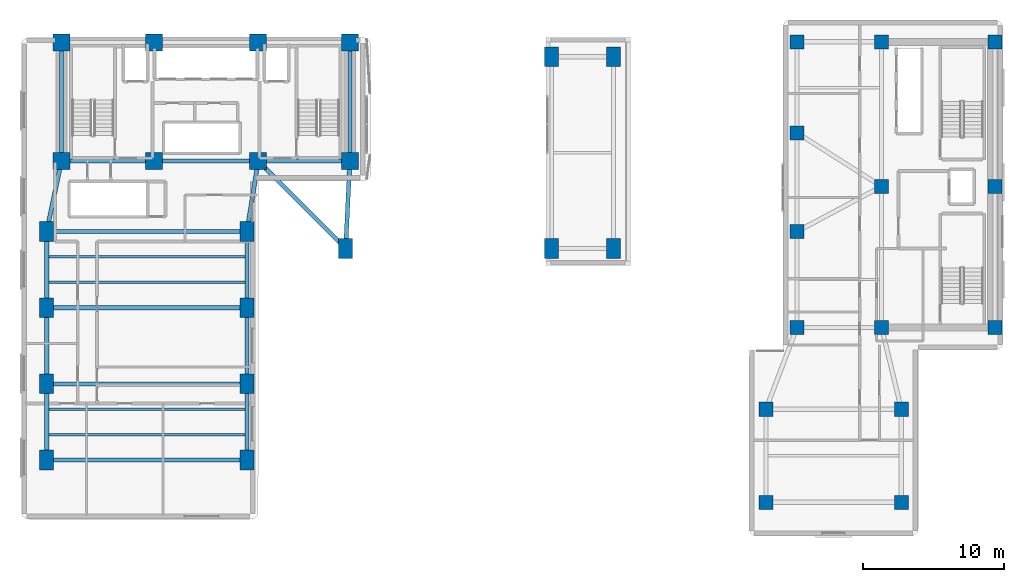
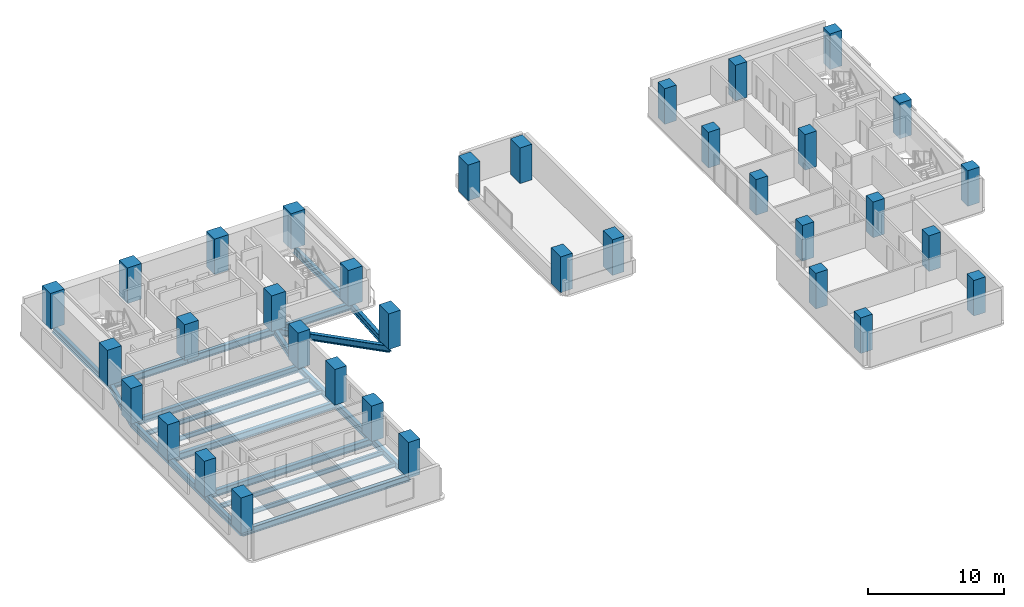
# One storey, part 1 of 14: 35 columns, 23 beams.
"""IFC4 building model written with IfcOpenShell, lengths in metres."""

import ifcopenshell
import ifcopenshell.guid

model = None  # the IFC model being written
_history = None  # IfcOwnerHistory: only IFC2X3 demands one
_inside = {}  # id of a spatial element -> (the spatial element, [elements in it])
_under = {}  # id of a project, library or spatial element -> (it, [spatial elements below it])
_declared = {}  # id of a project -> (the project, [libraries it declares])
_typed = {}  # id of a type object -> (the type object, [elements of that type])
_made_of = {}  # id of a material, layer set ... -> (it, [elements and type objects made of it])


def new_model(schema):
    """Start an empty IFC model of exactly this schema.

    Asked for "IFC4X3", IfcOpenShell would pick the latest addendum, in which some entities
    have other attributes; the version numbers below select the first issue.
    IFC2X3 requires an IfcOwnerHistory on every rooted entity: one is made here for all.
    """
    global model, _history
    if schema == "IFC4X3":
        model = ifcopenshell.file(schema_version=(4, 3, 0, 0))
    else:
        model = ifcopenshell.file(schema=schema)
    _inside.clear()
    _under.clear()
    _declared.clear()
    _typed.clear()
    _made_of.clear()
    _history = None
    if model.schema == "IFC2X3":
        org = make("IfcOrganization", Name="unknown")
        user = make(
            "IfcPersonAndOrganization",
            ThePerson=make("IfcPerson", FamilyName="unknown"),
            TheOrganization=org,
        )
        app = make(
            "IfcApplication",
            ApplicationDeveloper=org,
            Version="unknown",
            ApplicationFullName="unknown",
            ApplicationIdentifier="unknown",
        )
        _history = make(
            "IfcOwnerHistory",
            OwningUser=user,
            OwningApplication=app,
            ChangeAction="ADDED",
            CreationDate=0,
        )
    return model


def make(cls, **values):
    """One entity of the class cls with the attributes given. An attribute that is None is left unset."""
    return model.create_entity(
        cls, **{name: value for name, value in values.items() if value is not None}
    )


def rooted(cls, **values):
    """An entity with a GlobalId (a new one), such as an element, a storey or a relation."""
    return make(cls, GlobalId=ifcopenshell.guid.new(), OwnerHistory=_history, **values)


def si_unit(unit_type, name, prefix=None):
    """IfcSIUnit, for example si_unit("LENGTHUNIT", "METRE", prefix="MILLI")."""
    return make("IfcSIUnit", UnitType=unit_type, Prefix=prefix, Name=name)


def assignment(units):
    """IfcUnitAssignment: the units of a project."""
    return None if units is None else make("IfcUnitAssignment", Units=units)


def point(xyz):
    """IfcCartesianPoint."""
    return None if xyz is None else make("IfcCartesianPoint", Coordinates=xyz)


def direction(xyz):
    """IfcDirection."""
    return None if xyz is None else make("IfcDirection", DirectionRatios=xyz)


def frame(location, z_axis=None, x_axis=None):
    """IfcAxis2Placement3D, a coordinate frame: its origin and axes. An axis left out is left unset."""
    return make(
        "IfcAxis2Placement3D",
        Location=point(location),
        Axis=direction(z_axis),
        RefDirection=direction(x_axis),
    )


def frame_2d(location, x_axis=None):
    """IfcAxis2Placement2D, a coordinate frame in the plane: its origin and x axis."""
    return make(
        "IfcAxis2Placement2D", Location=point(location), RefDirection=direction(x_axis)
    )


def origin():
    """The frame at (0, 0, 0) with its axes left unset."""
    return frame((0.0, 0.0, 0.0))


def origin_2d():
    """The frame at (0, 0) in the plane with its x axis left unset."""
    return frame_2d((0.0, 0.0))


def place(relative_to, where):
    """IfcLocalPlacement: puts the frame where relative to a parent placement (None: the world)."""
    return make(
        "IfcLocalPlacement", PlacementRelTo=relative_to, RelativePlacement=where
    )


def context(
    kind, dimensions, precision=None, world=None, true_north=None, identifier=None
):
    """IfcGeometricRepresentationContext, for example the 3D "Model" context."""
    return make(
        "IfcGeometricRepresentationContext",
        ContextIdentifier=identifier,
        ContextType=kind,
        CoordinateSpaceDimension=dimensions,
        Precision=precision,
        WorldCoordinateSystem=world,
        TrueNorth=true_north,
    )


def subcontext(parent, identifier, kind, view, scale=None):
    """IfcGeometricRepresentationSubContext, for example "Body" below "Model"."""
    return make(
        "IfcGeometricRepresentationSubContext",
        ContextIdentifier=identifier,
        ContextType=kind,
        ParentContext=parent,
        TargetScale=scale,
        TargetView=view,
    )


def project(units=None, contexts=None):
    """IfcProject with its units and contexts."""
    return rooted(
        "IfcProject",
        Name="project",
        RepresentationContexts=contexts,
        UnitsInContext=assignment(units),
    )


def spatial(cls, under=None, at=None, **own):
    """A site, building, storey or space (cls), placed at a placement, below another one or the project."""
    s = rooted(cls, ObjectPlacement=at, **own)
    if under is not None:
        _under.setdefault(under.id(), (under, []))[1].append(s)
    return s


def profile(cls, at=None, kind="AREA", **sizes):
    """A parametric profile (cls). Its sizes go by their IFC names, for example OverallWidth=200.0."""
    return make(cls, ProfileType=kind, Position=at, **sizes)


def rectangle(**sizes):
    """IfcRectangleProfileDef."""
    return profile("IfcRectangleProfileDef", **sizes)


def i_section(**sizes):
    """IfcIShapeProfileDef."""
    return profile("IfcIShapeProfileDef", **sizes)


def extrude(swept, where, along, depth):
    """IfcExtrudedAreaSolid: the profile swept, set in the frame where, extruded along a direction by depth."""
    return make(
        "IfcExtrudedAreaSolid",
        SweptArea=swept,
        Position=where,
        ExtrudedDirection=direction(along),
        Depth=depth,
    )


def shape(context_of_items, identifier, shape_type, items):
    """IfcShapeRepresentation: the items that make up one representation, for example the "Body"."""
    return make(
        "IfcShapeRepresentation",
        ContextOfItems=context_of_items,
        RepresentationIdentifier=identifier,
        RepresentationType=shape_type,
        Items=items,
    )


def material(Name=None, Category=None):
    """IfcMaterial."""
    return make("IfcMaterial", Name=Name, Category=Category)


def material_profile(
    of_material, cross_section, Name=None, Category=None, Priority=None
):
    """IfcMaterialProfile: a cross section and its material."""
    return make(
        "IfcMaterialProfile",
        Name=Name,
        Material=of_material,
        Profile=cross_section,
        Priority=Priority,
        Category=Category,
    )


def profile_set(profiles, Name=None, composite=None):
    """IfcMaterialProfileSet."""
    return make(
        "IfcMaterialProfileSet",
        Name=Name,
        MaterialProfiles=profiles,
        CompositeProfile=composite,
    )


def made_of(thing, what):
    """Note that an element or type object is made of a material, layer set ...; save() writes the relation."""
    if what is not None:
        _made_of.setdefault(what.id(), (what, []))[1].append(thing)
    return thing


def type_object(cls, material=None, **own):
    """A type object (cls), such as IfcWallType, which elements share."""
    return made_of(rooted(cls, **own), material)


def element(
    cls,
    number,
    at=None,
    inside=None,
    cuts=None,
    type_object=None,
    material=None,
    context=None,
    identifier="Body",
    shape_type=None,
    held_by="IfcProductDefinitionShape",
    body=None,
    shapes=None,
    **own,
):
    """One element of the class cls, such as IfcWall. Its Tag is "e" and its number.

    at: its placement. inside: the storey or other place that contains it. cuts: it is an
    opening in that element (IfcRelVoidsElement). A single representation is given by context,
    identifier, shape_type and body (its items); several are given by shapes. held_by: the class
    of the entity that holds the representations. save() writes the other relations.
    """
    e = rooted(cls, Tag="e%d" % number, ObjectPlacement=at, **own)
    if body is not None:
        shapes = [shape(context, identifier, shape_type, body)]
    if shapes is not None:
        e.Representation = make(held_by, Representations=shapes)
    if inside is not None:
        _inside.setdefault(inside.id(), (inside, []))[1].append(e)
    if cuts is not None:
        rooted(
            "IfcRelVoidsElement", RelatingBuildingElement=cuts, RelatedOpeningElement=e
        )
    if type_object is not None:
        _typed.setdefault(type_object.id(), (type_object, []))[1].append(e)
    return made_of(e, material)


def aggregate(whole, parts):
    """IfcRelAggregates: a whole, such as a stair, and the parts it consists of."""
    return rooted("IfcRelAggregates", RelatingObject=whole, RelatedObjects=parts)


def save(model, path):
    """Write the relations noted so far, then the file.

    IfcRelAggregates (storeys below a building ...), IfcRelContainedInSpatialStructure (elements
    in a storey), IfcRelDefinesByType, IfcRelAssociatesMaterial and IfcRelDeclares: one each for
    every whole, place, type object, material and project.
    """
    for whole, parts in _under.values():
        aggregate(whole, parts)
    for where, things in _inside.values():
        rooted(
            "IfcRelContainedInSpatialStructure",
            RelatedElements=things,
            RelatingStructure=where,
        )
    for kind, things in _typed.values():
        rooted("IfcRelDefinesByType", RelatedObjects=things, RelatingType=kind)
    for what, things in _made_of.values():
        rooted("IfcRelAssociatesMaterial", RelatedObjects=things, RelatingMaterial=what)
    for by, libraries in _declared.values():
        rooted("IfcRelDeclares", RelatingContext=by, RelatedDefinitions=libraries)
    model.write(path)


model = new_model("IFC4")

# Units and contexts
model_context = context("Model", 3, precision=1e-05, world=origin(), true_north=direction((0.0, 1.0)))
body_context = subcontext(model_context, "Body", "Model", "MODEL_VIEW")
ifc_project = project(units=[si_unit("LENGTHUNIT", "METRE"), si_unit("AREAUNIT", "SQUARE_METRE"), si_unit("VOLUMEUNIT", "CUBIC_METRE"), si_unit("PLANEANGLEUNIT", "RADIAN"), si_unit("MASSUNIT", "GRAM", prefix="KILO")], contexts=[model_context])

# Site, building, storey
site_placement = place(None, origin())
site = spatial("IfcSite", under=ifc_project, at=site_placement, CompositionType="ELEMENT")
building_placement = place(site_placement, origin())
building = spatial("IfcBuilding", under=site, at=building_placement, Name="Kuzgunbayir Cultural Tower", CompositionType="ELEMENT")
storey_placement = place(building_placement, frame((0.0, 0.0, 33.39990234375)))
storey = spatial("IfcBuildingStorey", under=building, at=storey_placement, Name="L08", CompositionType="ELEMENT", Elevation=33.39990234375)

# Columns
ifc_material_1 = material(Name="Concrete C60/75", Category="concrete")
ifc_material_profile_1 = material_profile(ifc_material_1, rectangle(XDim=1.199951171875, YDim=1.199951171875, at=origin_2d()), Name="RC 1200x1200")
ifc_profile_set_1 = profile_set([ifc_material_profile_1], Name="Concrete C60/75")
column_type_1 = type_object("IfcColumnType", Name="COL-CORE-1200", PredefinedType="COLUMN", material=ifc_profile_set_1)
for number, where, z_axis, x_axis, name in (
    (1, (6.449951171875, 33.800048828125, 0.0), (0.0, 0.0, 1.0), (1.0, 0.0, 0.0), "L08 T1 Core Boundary Column CC1-1"),
    (2, (13.0, 33.800048828125, 0.0), (0.0, 0.0, 1.0), (1.0, 0.0, 0.0), "L08 T1 Core Boundary Column CC1-2"),
    (3, (20.39990234375, 33.800048828125, 0.0), (0.0, 0.0, 1.0), (1.0, 0.0, 0.0), "L08 T1 Core Boundary Column CC1-3"),
    (4, (26.89990234375, 33.800048828125, 0.0), (0.0, 0.0, 1.0), (1.0, 0.0, 0.0), "L08 T1 Core Boundary Column CC1-4"),
    (5, (6.449951171875, 42.199951171875, 0.0), (0.0, 0.0, 1.0), (1.0, 0.0, 0.0), "L08 T1 Core Boundary Column CC1-5"),
    (6, (13.0, 42.199951171875, 0.0), (0.0, 0.0, 1.0), (1.0, 0.0, 0.0), "L08 T1 Core Boundary Column CC1-6"),
    (7, (20.39990234375, 42.199951171875, 0.0), (0.0, 0.0, 1.0), (1.0, 0.0, 0.0), "L08 T1 Core Boundary Column CC1-7"),
    (8, (26.89990234375, 42.199951171875, 0.0), (0.0, 0.0, 1.0), (1.0, 0.0, 0.0), "L08 T1 Core Boundary Column CC1-8"),
):
    element("IfcColumn", number, at=place(storey_placement, frame(where, z_axis=z_axis, x_axis=x_axis)), inside=storey, type_object=column_type_1, Name=name, PredefinedType="COLUMN", context=body_context, shape_type="SweptSolid", body=[
        extrude(rectangle(XDim=1.199951171875, YDim=1.199951171875, at=origin_2d()), origin(), (0.0, 0.0, 1.0), 3.2001953125),
    ])
ifc_material_profile_2 = material_profile(ifc_material_1, rectangle(XDim=1.0, YDim=1.39990234375, at=origin_2d()), Name="RC 1400x1000")
ifc_profile_set_2 = profile_set([ifc_material_profile_2], Name="Concrete C60/75")
column_type_2 = type_object("IfcColumnType", Name="COL-T1-1400x1000", PredefinedType="COLUMN", material=ifc_profile_set_2)
for number, where, z_axis, x_axis, name in (
    (9, (5.39990234375, 12.60009765625, 0.0), (0.0, 0.0, 1.0), (1.0, 0.0, 0.0), "L08 Tower 1 Wing A Column T1A-W-1"),
    (10, (19.60009765625, 12.60009765625, 0.0), (0.0, 0.0, 1.0), (1.0, 0.0, 0.0), "L08 Tower 1 Wing A Column T1A-E-1"),
    (11, (5.39990234375, 18.0, 0.0), (0.0, 0.0, 1.0), (1.0, 0.0, 0.0), "L08 Tower 1 Wing A Column T1A-W-2"),
    (12, (19.60009765625, 18.0, 0.0), (0.0, 0.0, 1.0), (1.0, 0.0, 0.0), "L08 Tower 1 Wing A Column T1A-E-2"),
    (13, (5.39990234375, 23.39990234375, 0.0), (0.0, 0.0, 1.0), (1.0, 0.0, 0.0), "L08 Tower 1 Wing A Column T1A-W-3"),
    (14, (19.60009765625, 23.39990234375, 0.0), (0.0, 0.0, 1.0), (1.0, 0.0, 0.0), "L08 Tower 1 Wing A Column T1A-E-3"),
    (15, (5.39990234375, 28.800048828125, 0.0), (0.0, 0.0, 1.0), (1.0, 0.0, 0.0), "L08 Tower 1 Wing A Column T1A-W-4"),
    (16, (19.60009765625, 28.800048828125, 0.0), (0.0, 0.0, 1.0), (1.0, 0.0, 0.0), "L08 Tower 1 Wing A Column T1A-E-4"),
    (17, (26.60009765625, 27.60009765625, 0.0), (0.0, 0.0, 1.0), (1.0, 0.0, 0.0), "L08 Tower 1 Wing B Column T1B-1-1"),
    (18, (41.199951171875, 27.60009765625, 0.0), (0.0, 0.0, 1.0), (1.0, 0.0, 0.0), "L08 Tower 1 Wing B Column T1B-4-1"),
    (19, (41.199951171875, 41.199951171875, 0.0), (0.0, 0.0, 1.0), (1.0, 0.0, 0.0), "L08 Tower 1 Wing B Column T1B-4-2"),
    (20, (45.60009765625, 27.60009765625, 0.0), (0.0, 0.0, 1.0), (1.0, 0.0, 0.0), "L08 Tower 1 Wing B Column T1B-5-1"),
    (21, (45.60009765625, 41.199951171875, 0.0), (0.0, 0.0, 1.0), (1.0, 0.0, 0.0), "L08 Tower 1 Wing B Column T1B-5-2"),
):
    element("IfcColumn", number, at=place(storey_placement, frame(where, z_axis=z_axis, x_axis=x_axis)), inside=storey, type_object=column_type_2, Name=name, PredefinedType="COLUMN", context=body_context, shape_type="SweptSolid", body=[
        extrude(rectangle(XDim=1.0, YDim=1.39990234375, at=origin_2d()), origin(), (0.0, 0.0, 1.0), 3.2001953125),
    ])
ifc_material_profile_3 = material_profile(ifc_material_1, rectangle(XDim=1.0, YDim=1.0, at=origin_2d()), Name="RC 1000x1000")
ifc_profile_set_3 = profile_set([ifc_material_profile_3], Name="Concrete C60/75")
column_type_3 = type_object("IfcColumnType", Name="COL-T2-1000", PredefinedType="COLUMN", material=ifc_profile_set_3)
for number, where, z_axis, x_axis, name in (
    (22, (64.60009765625, 22.0, 0.0), (0.0, 0.0, 1.0), (1.0, 0.0, 0.0), "L08 T2 Core Boundary Column CC2-1"),
    (23, (72.64990234375, 22.0, 0.0), (0.0, 0.0, 1.0), (1.0, 0.0, 0.0), "L08 T2 Core Boundary Column CC2-2"),
    (24, (64.60009765625, 32.0, 0.0), (0.0, 0.0, 1.0), (1.0, 0.0, 0.0), "L08 T2 Core Boundary Column CC2-3"),
    (25, (72.64990234375, 32.0, 0.0), (0.0, 0.0, 1.0), (1.0, 0.0, 0.0), "L08 T2 Core Boundary Column CC2-4"),
    (26, (64.60009765625, 42.25, 0.0), (0.0, 0.0, 1.0), (1.0, 0.0, 0.0), "L08 T2 Core Boundary Column CC2-5"),
    (27, (72.64990234375, 42.25, 0.0), (0.0, 0.0, 1.0), (1.0, 0.0, 0.0), "L08 T2 Core Boundary Column CC2-6"),
):
    element("IfcColumn", number, at=place(storey_placement, frame(where, z_axis=z_axis, x_axis=x_axis)), inside=storey, type_object=column_type_3, Name=name, PredefinedType="COLUMN", context=body_context, shape_type="SweptSolid", body=[
        extrude(rectangle(XDim=1.0, YDim=1.0, at=origin_2d()), origin(), (0.0, 0.0, 1.0), 3.2001953125),
    ])
ifc_material_profile_4 = material_profile(ifc_material_1, rectangle(XDim=1.0, YDim=1.0, at=origin_2d()), Name="RC 1000x1000")
ifc_profile_set_4 = profile_set([ifc_material_profile_4], Name="Concrete C60/75")
column_type_4 = type_object("IfcColumnType", Name="COL-T2-1000-EXT", PredefinedType="COLUMN", material=ifc_profile_set_4)
for number, where, z_axis, x_axis, name in (
    (28, (58.60009765625, 22.0, 0.0), (0.0, 0.0, 1.0), (1.0, 0.0, 0.0), "L08 Companion Wing A Column T2A-W-1"),
    (29, (58.60009765625, 28.800048828125, 0.0), (0.0, 0.0, 1.0), (1.0, 0.0, 0.0), "L08 Companion Wing A Column T2A-W-2"),
    (30, (58.60009765625, 35.800048828125, 0.0), (0.0, 0.0, 1.0), (1.0, 0.0, 0.0), "L08 Companion Wing A Column T2A-W-3"),
    (31, (58.60009765625, 42.25, 0.0), (0.0, 0.0, 1.0), (1.0, 0.0, 0.0), "L08 Companion Wing A Column T2A-W-4"),
    (32, (56.39990234375, 9.60009765625, 0.0), (0.0, 0.0, 1.0), (1.0, 0.0, 0.0), "L08 Companion Wing B Column T2B-1-1"),
    (33, (56.39990234375, 16.199951171875, 0.0), (0.0, 0.0, 1.0), (1.0, 0.0, 0.0), "L08 Companion Wing B Column T2B-1-2"),
    (34, (66.0, 9.60009765625, 0.0), (0.0, 0.0, 1.0), (1.0, 0.0, 0.0), "L08 Companion Wing B Column T2B-2-1"),
    (35, (66.0, 16.199951171875, 0.0), (0.0, 0.0, 1.0), (1.0, 0.0, 0.0), "L08 Companion Wing B Column T2B-2-2"),
):
    element("IfcColumn", number, at=place(storey_placement, frame(where, z_axis=z_axis, x_axis=x_axis)), inside=storey, type_object=column_type_4, Name=name, PredefinedType="COLUMN", context=body_context, shape_type="SweptSolid", body=[
        extrude(rectangle(XDim=1.0, YDim=1.0, at=origin_2d()), origin(), (0.0, 0.0, 1.0), 3.2001953125),
    ])

# Beams
ifc_material_2 = material(Name="Steel S355J2", Category="steel")
ifc_material_profile_5 = material_profile(ifc_material_2, i_section(OverallWidth=0.300048828125, OverallDepth=0.60009765625, WebThickness=0.015380859375, FlangeThickness=0.030029296875, FilletRadius=0.027099609375, at=origin_2d()), Name="HEB 600")
ifc_profile_set_5 = profile_set([ifc_material_profile_5], Name="Steel S355J2")
beam_type_1 = type_object("IfcBeamType", Name="BM-EXT-HEB600", PredefinedType="BEAM", material=ifc_profile_set_5)
for number, where, z_axis, x_axis, name in (
    (36, (5.39990234375, 12.60009765625, -0.47998046875), (0.0, 1.0, 0.0), (-1.0, 0.0, 0.0), "L08 Wing A West Girder 1"),
    (37, (19.60009765625, 12.60009765625, -0.47998046875), (0.0, 1.0, 0.0), (-1.0, 0.0, 0.0), "L08 Wing A East Girder 1"),
    (38, (5.39990234375, 18.0, -0.47998046875), (0.0, 1.0, 0.0), (-1.0, 0.0, 0.0), "L08 Wing A West Girder 2"),
    (39, (19.60009765625, 18.0, -0.47998046875), (0.0, 1.0, 0.0), (-1.0, 0.0, 0.0), "L08 Wing A East Girder 2"),
):
    element("IfcBeam", number, at=place(storey_placement, frame(where, z_axis=z_axis, x_axis=x_axis)), inside=storey, type_object=beam_type_1, Name=name, PredefinedType="BEAM", context=body_context, shape_type="SweptSolid", body=[
        extrude(i_section(OverallWidth=0.300048828125, OverallDepth=0.60009765625, WebThickness=0.015380859375, FlangeThickness=0.030029296875, FilletRadius=0.027099609375, at=origin_2d()), origin(), (0.0, 0.0, 1.0), 5.39990234375),
    ])
for number, where, z_axis, x_axis, name in (
    (40, (5.39990234375, 23.39990234375, -0.47998046875), (0.0, 1.0, 0.0), (-1.0, 0.0, 0.0), "L08 Wing A West Girder 3"),
    (41, (19.60009765625, 23.39990234375, -0.47998046875), (0.0, 1.0, 0.0), (-1.0, 0.0, 0.0), "L08 Wing A East Girder 3"),
):
    element("IfcBeam", number, at=place(storey_placement, frame(where, z_axis=z_axis, x_axis=x_axis)), inside=storey, type_object=beam_type_1, Name=name, PredefinedType="BEAM", context=body_context, shape_type="SweptSolid", body=[
        extrude(i_section(OverallWidth=0.300048828125, OverallDepth=0.60009765625, WebThickness=0.015380859375, FlangeThickness=0.030029296875, FilletRadius=0.027099609375, at=origin_2d()), origin(), (0.0, 0.0, 1.0), 5.400146484375),
    ])
ifc_material_profile_6 = material_profile(ifc_material_2, i_section(OverallWidth=0.300048828125, OverallDepth=0.60009765625, WebThickness=0.015380859375, FlangeThickness=0.030029296875, FilletRadius=0.027099609375, at=origin_2d()), Name="HEB 600")
ifc_profile_set_6 = profile_set([ifc_material_profile_6], Name="Steel S355J2")
beam_type_2 = type_object("IfcBeamType", Name="BM-GIR-HEB600", PredefinedType="BEAM", material=ifc_profile_set_6)
beam_1_placement = place(storey_placement, frame((6.449951171875, 33.800048828125, -0.47998046875), z_axis=(1.0, 0.0, 0.0), x_axis=(0.0, 1.0, 0.0)))
element("IfcBeam", 42, at=beam_1_placement, inside=storey, type_object=beam_type_2, Name="L08 Core South Girder 1", PredefinedType="BEAM", context=body_context, shape_type="SweptSolid", body=[
    extrude(i_section(OverallWidth=0.300048828125, OverallDepth=0.60009765625, WebThickness=0.015380859375, FlangeThickness=0.030029296875, FilletRadius=0.027099609375, at=origin_2d()), origin(), (0.0, 0.0, 1.0), 6.550048828125),
])
beam_2_placement = place(storey_placement, frame((13.0, 33.800048828125, -0.47998046875), z_axis=(1.0, 0.0, 0.0), x_axis=(0.0, 1.0, 0.0)))
element("IfcBeam", 43, at=beam_2_placement, inside=storey, type_object=beam_type_2, Name="L08 Core South Girder 2", PredefinedType="BEAM", context=body_context, shape_type="SweptSolid", body=[
    extrude(i_section(OverallWidth=0.300048828125, OverallDepth=0.60009765625, WebThickness=0.015380859375, FlangeThickness=0.030029296875, FilletRadius=0.027099609375, at=origin_2d()), origin(), (0.0, 0.0, 1.0), 7.39990234375),
])
beam_3_placement = place(storey_placement, frame((20.39990234375, 33.800048828125, -0.47998046875), z_axis=(1.0, 0.0, 0.0), x_axis=(0.0, 1.0, 0.0)))
element("IfcBeam", 44, at=beam_3_placement, inside=storey, type_object=beam_type_2, Name="L08 Core South Girder 3", PredefinedType="BEAM", context=body_context, shape_type="SweptSolid", body=[
    extrude(i_section(OverallWidth=0.300048828125, OverallDepth=0.60009765625, WebThickness=0.015380859375, FlangeThickness=0.030029296875, FilletRadius=0.027099609375, at=origin_2d()), origin(), (0.0, 0.0, 1.0), 6.5),
])
for number, where, z_axis, x_axis, name in (
    (45, (6.449951171875, 33.800048828125, -0.47998046875), (0.0, 1.0, 0.0), (-1.0, 0.0, 0.0), "L08 Core West Edge Girder"),
    (46, (26.89990234375, 33.800048828125, -0.47998046875), (0.0, 1.0, 0.0), (-1.0, 0.0, 0.0), "L08 Core East Edge Girder"),
):
    element("IfcBeam", number, at=place(storey_placement, frame(where, z_axis=z_axis, x_axis=x_axis)), inside=storey, type_object=beam_type_2, Name=name, PredefinedType="BEAM", context=body_context, shape_type="SweptSolid", body=[
        extrude(i_section(OverallWidth=0.300048828125, OverallDepth=0.60009765625, WebThickness=0.015380859375, FlangeThickness=0.030029296875, FilletRadius=0.027099609375, at=origin_2d()), origin(), (0.0, 0.0, 1.0), 8.39990234375),
    ])
for number, where, z_axis, x_axis, name in (
    (47, (5.39990234375, 12.60009765625, -0.47998046875), (1.0, 0.0, 0.0), (0.0, 1.0, 0.0), "L08 Wing A Transverse Girder 1"),
    (48, (5.39990234375, 18.0, -0.47998046875), (1.0, 0.0, 0.0), (0.0, 1.0, 0.0), "L08 Wing A Transverse Girder 2"),
    (49, (5.39990234375, 23.39990234375, -0.47998046875), (1.0, 0.0, 0.0), (0.0, 1.0, 0.0), "L08 Wing A Transverse Girder 3"),
    (50, (5.39990234375, 28.800048828125, -0.47998046875), (1.0, 0.0, 0.0), (0.0, 1.0, 0.0), "L08 Wing A Transverse Girder 4"),
):
    element("IfcBeam", number, at=place(storey_placement, frame(where, z_axis=z_axis, x_axis=x_axis)), inside=storey, type_object=beam_type_2, Name=name, PredefinedType="BEAM", context=body_context, shape_type="SweptSolid", body=[
        extrude(i_section(OverallWidth=0.300048828125, OverallDepth=0.60009765625, WebThickness=0.015380859375, FlangeThickness=0.030029296875, FilletRadius=0.027099609375, at=origin_2d()), origin(), (0.0, 0.0, 1.0), 14.2001953125),
    ])
beam_4_placement = place(storey_placement, frame((5.39990234375, 28.800048828125, -0.47998046875), z_axis=(0.205526387753, 0.978651574329, 0.0), x_axis=(-0.978651574329, 0.205526387753, 0.0)))
element("IfcBeam", 51, at=beam_4_placement, inside=storey, type_object=beam_type_2, Name="L08 Wing A West Core Floor Girder", PredefinedType="BEAM", context=body_context, shape_type="SweptSolid", body=[
    extrude(i_section(OverallWidth=0.300048828125, OverallDepth=0.60009765625, WebThickness=0.015380859375, FlangeThickness=0.030029296875, FilletRadius=0.027099609375, at=origin_2d()), origin(), (0.0, 0.0, 1.0), 5.109130859375),
])
beam_5_placement = place(storey_placement, frame((19.60009765625, 28.800048828125, -0.47998046875), z_axis=(0.157952891656, 0.987446648694, 0.0), x_axis=(-0.987446648694, 0.157952891656, 0.0)))
element("IfcBeam", 52, at=beam_5_placement, inside=storey, type_object=beam_type_2, Name="L08 Wing A East Core Floor Girder", PredefinedType="BEAM", context=body_context, shape_type="SweptSolid", body=[
    extrude(i_section(OverallWidth=0.300048828125, OverallDepth=0.60009765625, WebThickness=0.015380859375, FlangeThickness=0.030029296875, FilletRadius=0.027099609375, at=origin_2d()), origin(), (0.0, 0.0, 1.0), 5.0634765625),
])
beam_6_placement = place(storey_placement, frame((20.39990234375, 33.800048828125, -0.47998046875), z_axis=(0.707120702941, -0.707092859158, 0.0), x_axis=(0.707092859158, 0.707120702941, 0.0)))
element("IfcBeam", 53, at=beam_6_placement, inside=storey, type_object=beam_type_2, Name="L08 Portal West Tie", PredefinedType="BEAM", context=body_context, shape_type="SweptSolid", body=[
    extrude(i_section(OverallWidth=0.300048828125, OverallDepth=0.60009765625, WebThickness=0.015380859375, FlangeThickness=0.030029296875, FilletRadius=0.027099609375, at=origin_2d()), origin(), (0.0, 0.0, 1.0), 8.768310546875),
])
beam_7_placement = place(storey_placement, frame((26.60009765625, 27.60009765625, -0.47998046875), z_axis=(0.048299539143, 0.998832896194, 0.0), x_axis=(-0.998832896194, 0.048299539143, 0.0)))
element("IfcBeam", 54, at=beam_7_placement, inside=storey, type_object=beam_type_2, Name="L08 Portal West Jamb Girder", PredefinedType="BEAM", context=body_context, shape_type="SweptSolid", body=[
    extrude(i_section(OverallWidth=0.300048828125, OverallDepth=0.60009765625, WebThickness=0.015380859375, FlangeThickness=0.030029296875, FilletRadius=0.027099609375, at=origin_2d()), origin(), (0.0, 0.0, 1.0), 6.207275390625),
])
ifc_material_profile_7 = material_profile(ifc_material_2, i_section(OverallWidth=0.179931640625, OverallDepth=0.39990234375, WebThickness=0.008544921875, FlangeThickness=0.013427734375, FilletRadius=0.02099609375, at=origin_2d()), Name="IPE 400")
ifc_profile_set_7 = profile_set([ifc_material_profile_7], Name="Steel S355J2")
beam_type_3 = type_object("IfcBeamType", Name="BM-JST-IPE400", PredefinedType="JOIST", material=ifc_profile_set_7)
for number, where, z_axis, x_axis, name in (
    (55, (5.550048828125, 14.39990234375, -0.3798828125), (1.0, 0.0, 0.0), (0.0, 1.0, 0.0), "L08 Wing A Secondary Joist 1"),
    (56, (5.550048828125, 16.199951171875, -0.3798828125), (1.0, 0.0, 0.0), (0.0, 1.0, 0.0), "L08 Wing A Secondary Joist 2"),
    (57, (5.550048828125, 25.199951171875, -0.3798828125), (1.0, 0.0, 0.0), (0.0, 1.0, 0.0), "L08 Wing A Secondary Joist 5"),
    (58, (5.550048828125, 27.0, -0.3798828125), (1.0, 0.0, 0.0), (0.0, 1.0, 0.0), "L08 Wing A Secondary Joist 6"),
):
    element("IfcBeam", number, at=place(storey_placement, frame(where, z_axis=z_axis, x_axis=x_axis)), inside=storey, type_object=beam_type_3, Name=name, PredefinedType="JOIST", context=body_context, shape_type="SweptSolid", body=[
        extrude(i_section(OverallWidth=0.179931640625, OverallDepth=0.39990234375, WebThickness=0.008544921875, FlangeThickness=0.013427734375, FilletRadius=0.02099609375, at=origin_2d()), origin(), (0.0, 0.0, 1.0), 13.89990234375),
    ])

save(model, "model.ifc")
